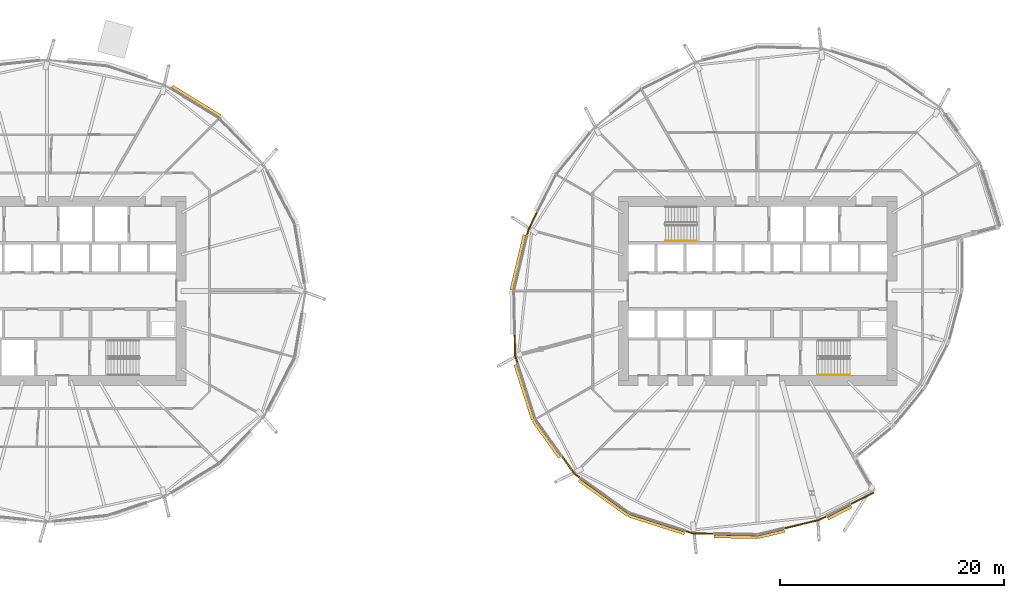
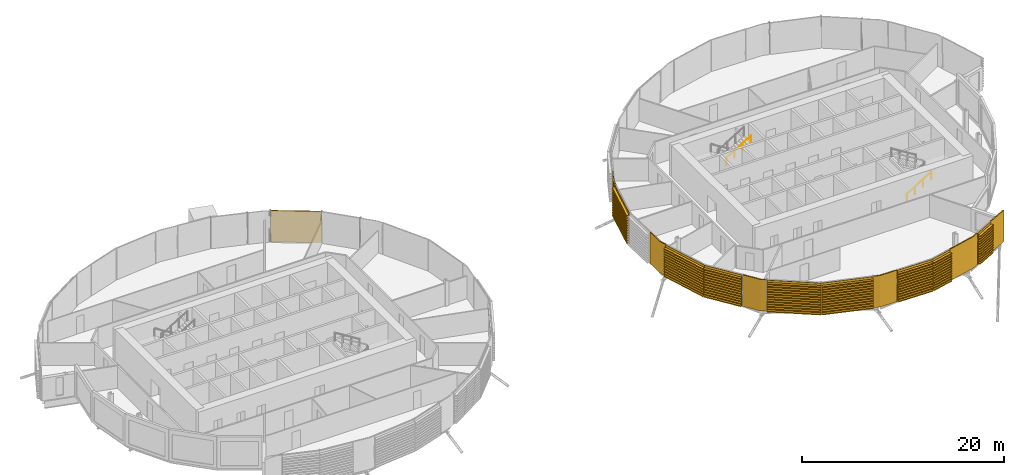
# One storey, part 36 of 38: 15 coverings, 2 railings.
"""IFC4 building model written with IfcOpenShell, lengths in metres."""

from ifc_helpers import new_model, si_unit, direction, frame, origin, origin_2d, place, context, subcontext, project, spatial, polyline, circle, outline, extrude, material, layer, layer_set, material_profile, profile_set, type_object, element, save


model = new_model("IFC4")

# Units and contexts
model_context = context("Model", 3, precision=1e-05, world=origin(), true_north=direction((0.0, 1.0)))
body_context = subcontext(model_context, "Body", "Model", "MODEL_VIEW")
ifc_project = project(units=[si_unit("LENGTHUNIT", "METRE"), si_unit("AREAUNIT", "SQUARE_METRE"), si_unit("VOLUMEUNIT", "CUBIC_METRE"), si_unit("PLANEANGLEUNIT", "RADIAN"), si_unit("MASSUNIT", "GRAM", prefix="KILO")], contexts=[model_context])

# Site, building, storey
site_placement = place(None, origin())
site = spatial("IfcSite", under=ifc_project, at=site_placement, CompositionType="ELEMENT")
building_placement = place(site_placement, origin())
building = spatial("IfcBuilding", under=site, at=building_placement, Name="Rimbun Link Towers", CompositionType="ELEMENT")
storey_placement = place(building_placement, frame((0.0, 0.0, 56.60009765625)))
storey = spatial("IfcBuildingStorey", under=building, at=storey_placement, Name="L13", CompositionType="ELEMENT", Elevation=56.60009765625)

# Coverings
ifc_material_1 = material(Name="Terracotta", Category="masonry")
ifc_layer = layer(ifc_material_1, 0.1201171875)
ifc_layer_set = layer_set([ifc_layer], Name="LINK PIER terracotta cladding 120")
covering_type_1 = type_object("IfcCoveringType", Name="LINK PIER terracotta cladding 120", PredefinedType="CLADDING", material=ifc_layer_set)
covering_1_placement = place(storey_placement, origin())
element("IfcCovering", 1, at=covering_1_placement, inside=storey, type_object=covering_type_1, Name="LINK PIER cladding", PredefinedType="CLADDING", context=body_context, shape_type="SweptSolid", body=[
    extrude(outline(polyline([(11.20751953125, 4.96630859375), (11.328369140625, 5.471923828125), (12.100341796875, 7.009033203125), (11.9931640625, 7.06298828125), (11.21484375, 5.513427734375), (11.0908203125, 4.994140625), (11.20751953125, 4.96630859375)])), origin(), (0.0, 0.0, 1.0), 3.7998046875),
])
covering_2_placement = place(storey_placement, origin())
element("IfcCovering", 2, at=covering_2_placement, inside=storey, type_object=covering_type_1, Name="LINK PIER cladding", PredefinedType="CLADDING", context=body_context, shape_type="SweptSolid", body=[
    extrude(outline(polyline([(10.35986328125, -6.47607421875), (10.1416015625, -5.789794921875), (10.101318359375, -3.870361328125), (9.981201171875, -3.872802734375), (10.02197265625, -5.809814453125), (10.24560546875, -6.512451171875), (10.35986328125, -6.47607421875)])), origin(), (0.0, 0.0, 1.0), 3.7998046875),
])
covering_3_placement = place(storey_placement, origin())
element("IfcCovering", 3, at=covering_3_placement, inside=storey, type_object=covering_type_1, Name="LINK PIER cladding", PredefinedType="CLADDING", context=body_context, shape_type="SweptSolid", body=[
    extrude(outline(polyline([(15.940185546875, -16.675048828125), (15.436279296875, -16.313720703125), (14.317138671875, -14.753662109375), (14.219482421875, -14.82373046875), (15.350341796875, -16.399658203125), (15.8701171875, -16.7724609375), (15.940185546875, -16.675048828125)])), origin(), (0.0, 0.0, 1.0), 3.7998046875),
])
covering_4_placement = place(storey_placement, origin())
element("IfcCovering", 4, at=covering_4_placement, inside=storey, type_object=covering_type_1, Name="LINK PIER cladding", PredefinedType="CLADDING", context=body_context, shape_type="SweptSolid", body=[
    extrude(outline(polyline([(27.82958984375, -21.647705078125), (25.960205078125, -21.6083984375), (25.321533203125, -21.4052734375), (25.28515625, -21.51953125), (25.940185546875, -21.72802734375), (27.8271484375, -21.767578125), (27.82958984375, -21.647705078125)])), origin(), (0.0, 0.0, 1.0), 3.7998046875),
])
covering_5_placement = place(storey_placement, origin())
element("IfcCovering", 5, at=covering_5_placement, inside=storey, type_object=covering_type_1, Name="LINK PIER cladding", PredefinedType="CLADDING", context=body_context, shape_type="SweptSolid", body=[
    extrude(outline(polyline([(42.093505859375, -17.97509765625), (40.046875, -19.0029296875), (40.100830078125, -19.110107421875), (42.147216796875, -18.08251953125), (42.093505859375, -17.97509765625)])), origin(), (0.0, 0.0, 1.0), 3.7998046875),
])
covering_6_placement = place(storey_placement, origin())
element("IfcCovering", 6, at=covering_6_placement, inside=storey, type_object=covering_type_1, Name="LINK PIER cladding", PredefinedType="CLADDING", context=body_context, shape_type="SweptSolid", body=[
    extrude(outline(polyline([(37.865478515625, -20.098388671875), (37.221923828125, -20.421630859375), (34.138916015625, -21.158935546875), (34.166748046875, -21.275634765625), (37.263427734375, -20.53515625), (37.919189453125, -20.205810546875), (37.865478515625, -20.098388671875)])), origin(), (0.0, 0.0, 1.0), 3.7998046875),
])

# Railings
ifc_material_2 = material(Name="Stainless steel grade 316", Category="steel")
railing_type = type_object("IfcRailingType", Name="Stair handrail", PredefinedType="HANDRAIL", material=ifc_material_2)
for number, where, name in (
    (7, (23.5, 4.449951171875, 2.072509765625), "L13 ST3 stair handrail 2"),
    (8, (37.199951171875, -7.5, 0.172607421875), "L13 ST4 stair handrail 1"),
):
    element("IfcRailing", number, at=place(storey_placement, frame(where)), inside=storey, type_object=railing_type, Name=name, PredefinedType="HANDRAIL", context=body_context, shape_type="SweptSolid", body=[
        extrude(circle(Radius=0.02392578125, at=origin_2d()), frame((0.0, 0.0, 0.8759765625), z_axis=(0.851089632645, 0.0, 0.525020415988), x_axis=(0.0, 1.0, 0.0)), (0.0, 0.0, 1.0), 3.2900390625),
        extrude(circle(Radius=0.02099609375, at=origin_2d()), origin(), (0.0, 0.0, 1.0), 0.851806640625),
        extrude(circle(Radius=0.02099609375, at=origin_2d()), frame((0.933349609375, 0.0, 0.57568359375)), (0.0, 0.0, 1.0), 0.851806640625),
        extrude(circle(Radius=0.02099609375, at=origin_2d()), frame((1.86669921875, 0.0, 1.151611328125)), (0.0, 0.0, 1.0), 0.851806640625),
        extrude(circle(Radius=0.02099609375, at=origin_2d()), frame((2.800048828125, 0.0, 1.727294921875)), (0.0, 0.0, 1.0), 0.851806640625),
    ])

# Coverings
ifc_material_3 = material(Name="Terracotta", Category="masonry")
ifc_material_profile = material_profile(ifc_material_3, outline(polyline([(0.123046875, 0.0), (0.1630859375, 0.0), (0.1630859375, 0.10009765625), (0.423095703125, 0.10009765625), (0.423095703125, 0.219970703125), (0.1630859375, 0.219970703125), (0.1630859375, 0.39990234375), (0.423095703125, 0.39990234375), (0.423095703125, 0.52001953125), (0.1630859375, 0.52001953125), (0.1630859375, 0.699951171875), (0.423095703125, 0.699951171875), (0.423095703125, 0.820068359375), (0.1630859375, 0.820068359375), (0.1630859375, 1.0), (0.423095703125, 1.0), (0.423095703125, 1.1201171875), (0.1630859375, 1.1201171875), (0.1630859375, 1.300048828125), (0.423095703125, 1.300048828125), (0.423095703125, 1.419921875), (0.1630859375, 1.419921875), (0.1630859375, 1.60009765625), (0.423095703125, 1.60009765625), (0.423095703125, 1.719970703125), (0.1630859375, 1.719970703125), (0.1630859375, 1.89990234375), (0.423095703125, 1.89990234375), (0.423095703125, 2.02001953125), (0.1630859375, 2.02001953125), (0.1630859375, 2.199951171875), (0.423095703125, 2.199951171875), (0.423095703125, 2.320068359375), (0.1630859375, 2.320068359375), (0.1630859375, 2.5), (0.423095703125, 2.5), (0.423095703125, 2.6201171875), (0.1630859375, 2.6201171875), (0.1630859375, 2.800048828125), (0.423095703125, 2.800048828125), (0.423095703125, 2.919921875), (0.1630859375, 2.919921875), (0.1630859375, 3.10009765625), (0.423095703125, 3.10009765625), (0.423095703125, 3.219970703125), (0.1630859375, 3.219970703125), (0.1630859375, 3.39990234375), (0.423095703125, 3.39990234375), (0.423095703125, 3.52001953125), (0.1630859375, 3.52001953125), (0.1630859375, 3.800048828125), (0.123046875, 3.800048828125), (0.123046875, 0.0)])), Name="BAGUETTE 120X300")
ifc_profile_set = profile_set([ifc_material_profile], Name="Terracotta")
covering_type_2 = type_object("IfcCoveringType", Name="TERRACOTTA BAGUETTE 120X300 H3800", PredefinedType="CLADDING", material=ifc_profile_set)
for number, where, z_axis, x_axis, name in (
    (9, (-20.710205078125, 18.021728515625, 0.0), (0.85215993797, -0.523281415798, 0.0), (0.523281415798, 0.85215993797, 0.0), "TERRACOTTA BAGUETTE"),
    (10, (10.019775390625, 0.0, 0.0), (0.232587059033, 0.972575580595, 0.0), (-0.972575580595, 0.232587059033, 0.0), "TERRACOTTA BAGUETTE"),
):
    element("IfcCovering", number, at=place(storey_placement, frame(where, z_axis=z_axis, x_axis=x_axis)), inside=storey, type_object=covering_type_2, Name=name, PredefinedType="CLADDING", context=body_context, shape_type="SweptSolid", body=[
        extrude(outline(polyline([(0.123046875, 0.0), (0.1630859375, 0.0), (0.1630859375, 0.10009765625), (0.423095703125, 0.10009765625), (0.423095703125, 0.219970703125), (0.1630859375, 0.219970703125), (0.1630859375, 0.39990234375), (0.423095703125, 0.39990234375), (0.423095703125, 0.52001953125), (0.1630859375, 0.52001953125), (0.1630859375, 0.699951171875), (0.423095703125, 0.699951171875), (0.423095703125, 0.820068359375), (0.1630859375, 0.820068359375), (0.1630859375, 1.0), (0.423095703125, 1.0), (0.423095703125, 1.1201171875), (0.1630859375, 1.1201171875), (0.1630859375, 1.300048828125), (0.423095703125, 1.300048828125), (0.423095703125, 1.419921875), (0.1630859375, 1.419921875), (0.1630859375, 1.60009765625), (0.423095703125, 1.60009765625), (0.423095703125, 1.719970703125), (0.1630859375, 1.719970703125), (0.1630859375, 1.89990234375), (0.423095703125, 1.89990234375), (0.423095703125, 2.02001953125), (0.1630859375, 2.02001953125), (0.1630859375, 2.199951171875), (0.423095703125, 2.199951171875), (0.423095703125, 2.320068359375), (0.1630859375, 2.320068359375), (0.1630859375, 2.5), (0.423095703125, 2.5), (0.423095703125, 2.6201171875), (0.1630859375, 2.6201171875), (0.1630859375, 2.800048828125), (0.423095703125, 2.800048828125), (0.423095703125, 2.919921875), (0.1630859375, 2.919921875), (0.1630859375, 3.10009765625), (0.423095703125, 3.10009765625), (0.423095703125, 3.219970703125), (0.1630859375, 3.219970703125), (0.1630859375, 3.39990234375), (0.423095703125, 3.39990234375), (0.423095703125, 3.52001953125), (0.1630859375, 3.52001953125), (0.1630859375, 3.800048828125), (0.123046875, 3.800048828125), (0.123046875, 0.0)])), origin(), (0.0, 0.0, 1.0), 5.076171875),
    ])
covering_7_placement = place(storey_placement, frame((11.93798828125, -11.4384765625, 0.0), z_axis=(-0.303069353563, 0.952968502591, 0.0), x_axis=(-0.952968502591, -0.303069353563, 0.0)))
element("IfcCovering", 11, at=covering_7_placement, inside=storey, type_object=covering_type_2, Name="TERRACOTTA BAGUETTE", PredefinedType="CLADDING", context=body_context, shape_type="SweptSolid", body=[
    extrude(outline(polyline([(0.123046875, 0.0), (0.1630859375, 0.0), (0.1630859375, 0.10009765625), (0.423095703125, 0.10009765625), (0.423095703125, 0.219970703125), (0.1630859375, 0.219970703125), (0.1630859375, 0.39990234375), (0.423095703125, 0.39990234375), (0.423095703125, 0.52001953125), (0.1630859375, 0.52001953125), (0.1630859375, 0.699951171875), (0.423095703125, 0.699951171875), (0.423095703125, 0.820068359375), (0.1630859375, 0.820068359375), (0.1630859375, 1.0), (0.423095703125, 1.0), (0.423095703125, 1.1201171875), (0.1630859375, 1.1201171875), (0.1630859375, 1.300048828125), (0.423095703125, 1.300048828125), (0.423095703125, 1.419921875), (0.1630859375, 1.419921875), (0.1630859375, 1.60009765625), (0.423095703125, 1.60009765625), (0.423095703125, 1.719970703125), (0.1630859375, 1.719970703125), (0.1630859375, 1.89990234375), (0.423095703125, 1.89990234375), (0.423095703125, 2.02001953125), (0.1630859375, 2.02001953125), (0.1630859375, 2.199951171875), (0.423095703125, 2.199951171875), (0.423095703125, 2.320068359375), (0.1630859375, 2.320068359375), (0.1630859375, 2.5), (0.423095703125, 2.5), (0.423095703125, 2.6201171875), (0.1630859375, 2.6201171875), (0.1630859375, 2.800048828125), (0.423095703125, 2.800048828125), (0.423095703125, 2.919921875), (0.1630859375, 2.919921875), (0.1630859375, 3.10009765625), (0.423095703125, 3.10009765625), (0.423095703125, 3.219970703125), (0.1630859375, 3.219970703125), (0.1630859375, 3.39990234375), (0.423095703125, 3.39990234375), (0.423095703125, 3.52001953125), (0.1630859375, 3.52001953125), (0.1630859375, 3.800048828125), (0.123046875, 3.800048828125), (0.123046875, 0.0)])), origin(), (0.0, 0.0, 1.0), 5.17724609375),
])
covering_8_placement = place(storey_placement, frame((14.299560546875, -14.729248046875, 0.0), z_axis=(-0.583038497877, 0.812444527333, 0.0), x_axis=(-0.812444527333, -0.583038497877, 0.0)))
element("IfcCovering", 12, at=covering_8_placement, inside=storey, type_object=covering_type_2, Name="TERRACOTTA BAGUETTE", PredefinedType="CLADDING", context=body_context, shape_type="SweptSolid", body=[
    extrude(outline(polyline([(0.123046875, 0.0), (0.1630859375, 0.0), (0.1630859375, 0.10009765625), (0.423095703125, 0.10009765625), (0.423095703125, 0.219970703125), (0.1630859375, 0.219970703125), (0.1630859375, 0.39990234375), (0.423095703125, 0.39990234375), (0.423095703125, 0.52001953125), (0.1630859375, 0.52001953125), (0.1630859375, 0.699951171875), (0.423095703125, 0.699951171875), (0.423095703125, 0.820068359375), (0.1630859375, 0.820068359375), (0.1630859375, 1.0), (0.423095703125, 1.0), (0.423095703125, 1.1201171875), (0.1630859375, 1.1201171875), (0.1630859375, 1.300048828125), (0.423095703125, 1.300048828125), (0.423095703125, 1.419921875), (0.1630859375, 1.419921875), (0.1630859375, 1.60009765625), (0.423095703125, 1.60009765625), (0.423095703125, 1.719970703125), (0.1630859375, 1.719970703125), (0.1630859375, 1.89990234375), (0.423095703125, 1.89990234375), (0.423095703125, 2.02001953125), (0.1630859375, 2.02001953125), (0.1630859375, 2.199951171875), (0.423095703125, 2.199951171875), (0.423095703125, 2.320068359375), (0.1630859375, 2.320068359375), (0.1630859375, 2.5), (0.423095703125, 2.5), (0.423095703125, 2.6201171875), (0.1630859375, 2.6201171875), (0.1630859375, 2.800048828125), (0.423095703125, 2.800048828125), (0.423095703125, 2.919921875), (0.1630859375, 2.919921875), (0.1630859375, 3.10009765625), (0.423095703125, 3.10009765625), (0.423095703125, 3.219970703125), (0.1630859375, 3.219970703125), (0.1630859375, 3.39990234375), (0.423095703125, 3.39990234375), (0.423095703125, 3.52001953125), (0.1630859375, 3.52001953125), (0.1630859375, 3.800048828125), (0.123046875, 3.800048828125), (0.123046875, 0.0)])), origin(), (0.0, 0.0, 1.0), 4.050537109375),
])
covering_9_placement = place(storey_placement, frame((20.3115234375, -19.81201171875, 0.0), z_axis=(-0.812455081964, 0.583023790073, 0.0), x_axis=(-0.583023790073, -0.812455081964, 0.0)))
element("IfcCovering", 13, at=covering_9_placement, inside=storey, type_object=covering_type_2, Name="TERRACOTTA BAGUETTE", PredefinedType="CLADDING", context=body_context, shape_type="SweptSolid", body=[
    extrude(outline(polyline([(0.123046875, 0.0), (0.1630859375, 0.0), (0.1630859375, 0.10009765625), (0.423095703125, 0.10009765625), (0.423095703125, 0.219970703125), (0.1630859375, 0.219970703125), (0.1630859375, 0.39990234375), (0.423095703125, 0.39990234375), (0.423095703125, 0.52001953125), (0.1630859375, 0.52001953125), (0.1630859375, 0.699951171875), (0.423095703125, 0.699951171875), (0.423095703125, 0.820068359375), (0.1630859375, 0.820068359375), (0.1630859375, 1.0), (0.423095703125, 1.0), (0.423095703125, 1.1201171875), (0.1630859375, 1.1201171875), (0.1630859375, 1.300048828125), (0.423095703125, 1.300048828125), (0.423095703125, 1.419921875), (0.1630859375, 1.419921875), (0.1630859375, 1.60009765625), (0.423095703125, 1.60009765625), (0.423095703125, 1.719970703125), (0.1630859375, 1.719970703125), (0.1630859375, 1.89990234375), (0.423095703125, 1.89990234375), (0.423095703125, 2.02001953125), (0.1630859375, 2.02001953125), (0.1630859375, 2.199951171875), (0.423095703125, 2.199951171875), (0.423095703125, 2.320068359375), (0.1630859375, 2.320068359375), (0.1630859375, 2.5), (0.423095703125, 2.5), (0.423095703125, 2.6201171875), (0.1630859375, 2.6201171875), (0.1630859375, 2.800048828125), (0.423095703125, 2.800048828125), (0.423095703125, 2.919921875), (0.1630859375, 2.919921875), (0.1630859375, 3.10009765625), (0.423095703125, 3.10009765625), (0.423095703125, 3.219970703125), (0.1630859375, 3.219970703125), (0.1630859375, 3.39990234375), (0.423095703125, 3.39990234375), (0.423095703125, 3.52001953125), (0.1630859375, 3.52001953125), (0.1630859375, 3.800048828125), (0.123046875, 3.800048828125), (0.123046875, 0.0)])), origin(), (0.0, 0.0, 1.0), 5.350341796875),
])
covering_10_placement = place(storey_placement, frame((25.29296875, -21.396240234375, 0.0), z_axis=(-0.952968707508, 0.303068709225, 0.0), x_axis=(-0.303068709225, -0.952968707508, 0.0)))
element("IfcCovering", 14, at=covering_10_placement, inside=storey, type_object=covering_type_2, Name="TERRACOTTA BAGUETTE", PredefinedType="CLADDING", context=body_context, shape_type="SweptSolid", body=[
    extrude(outline(polyline([(0.123046875, 0.0), (0.1630859375, 0.0), (0.1630859375, 0.10009765625), (0.423095703125, 0.10009765625), (0.423095703125, 0.219970703125), (0.1630859375, 0.219970703125), (0.1630859375, 0.39990234375), (0.423095703125, 0.39990234375), (0.423095703125, 0.52001953125), (0.1630859375, 0.52001953125), (0.1630859375, 0.699951171875), (0.423095703125, 0.699951171875), (0.423095703125, 0.820068359375), (0.1630859375, 0.820068359375), (0.1630859375, 1.0), (0.423095703125, 1.0), (0.423095703125, 1.1201171875), (0.1630859375, 1.1201171875), (0.1630859375, 1.300048828125), (0.423095703125, 1.300048828125), (0.423095703125, 1.419921875), (0.1630859375, 1.419921875), (0.1630859375, 1.60009765625), (0.423095703125, 1.60009765625), (0.423095703125, 1.719970703125), (0.1630859375, 1.719970703125), (0.1630859375, 1.89990234375), (0.423095703125, 1.89990234375), (0.423095703125, 2.02001953125), (0.1630859375, 2.02001953125), (0.1630859375, 2.199951171875), (0.423095703125, 2.199951171875), (0.423095703125, 2.320068359375), (0.1630859375, 2.320068359375), (0.1630859375, 2.5), (0.423095703125, 2.5), (0.423095703125, 2.6201171875), (0.1630859375, 2.6201171875), (0.1630859375, 2.800048828125), (0.423095703125, 2.800048828125), (0.423095703125, 2.919921875), (0.1630859375, 2.919921875), (0.1630859375, 3.10009765625), (0.423095703125, 3.10009765625), (0.423095703125, 3.219970703125), (0.1630859375, 3.219970703125), (0.1630859375, 3.39990234375), (0.423095703125, 3.39990234375), (0.423095703125, 3.52001953125), (0.1630859375, 3.52001953125), (0.1630859375, 3.800048828125), (0.123046875, 3.800048828125), (0.123046875, 0.0)])), origin(), (0.0, 0.0, 1.0), 5.227294921875),
])
covering_11_placement = place(storey_placement, frame((31.75, -21.730224609375, 0.0), z_axis=(-0.999779091943, 0.021018261425, 0.0), x_axis=(-0.021018261425, -0.999779091943, 0.0)))
element("IfcCovering", 15, at=covering_11_placement, inside=storey, type_object=covering_type_2, Name="TERRACOTTA BAGUETTE", PredefinedType="CLADDING", context=body_context, shape_type="SweptSolid", body=[
    extrude(outline(polyline([(0.123046875, 0.0), (0.1630859375, 0.0), (0.1630859375, 0.10009765625), (0.423095703125, 0.10009765625), (0.423095703125, 0.219970703125), (0.1630859375, 0.219970703125), (0.1630859375, 0.39990234375), (0.423095703125, 0.39990234375), (0.423095703125, 0.52001953125), (0.1630859375, 0.52001953125), (0.1630859375, 0.699951171875), (0.423095703125, 0.699951171875), (0.423095703125, 0.820068359375), (0.1630859375, 0.820068359375), (0.1630859375, 1.0), (0.423095703125, 1.0), (0.423095703125, 1.1201171875), (0.1630859375, 1.1201171875), (0.1630859375, 1.300048828125), (0.423095703125, 1.300048828125), (0.423095703125, 1.419921875), (0.1630859375, 1.419921875), (0.1630859375, 1.60009765625), (0.423095703125, 1.60009765625), (0.423095703125, 1.719970703125), (0.1630859375, 1.719970703125), (0.1630859375, 1.89990234375), (0.423095703125, 1.89990234375), (0.423095703125, 2.02001953125), (0.1630859375, 2.02001953125), (0.1630859375, 2.199951171875), (0.423095703125, 2.199951171875), (0.423095703125, 2.320068359375), (0.1630859375, 2.320068359375), (0.1630859375, 2.5), (0.423095703125, 2.5), (0.423095703125, 2.6201171875), (0.1630859375, 2.6201171875), (0.1630859375, 2.800048828125), (0.423095703125, 2.800048828125), (0.423095703125, 2.919921875), (0.1630859375, 2.919921875), (0.1630859375, 3.10009765625), (0.423095703125, 3.10009765625), (0.423095703125, 3.219970703125), (0.1630859375, 3.219970703125), (0.1630859375, 3.39990234375), (0.423095703125, 3.39990234375), (0.423095703125, 3.52001953125), (0.1630859375, 3.52001953125), (0.1630859375, 3.800048828125), (0.123046875, 3.800048828125), (0.123046875, 0.0)])), origin(), (0.0, 0.0, 1.0), 3.891357421875),
])
covering_12_placement = place(storey_placement, frame((34.10986328125, -21.166015625, 0.0), z_axis=(-0.972588786306, -0.232531831694, 0.0), x_axis=(0.232531831694, -0.972588786306, 0.0)))
element("IfcCovering", 16, at=covering_12_placement, inside=storey, type_object=covering_type_2, Name="TERRACOTTA BAGUETTE", PredefinedType="CLADDING", context=body_context, shape_type="SweptSolid", body=[
    extrude(outline(polyline([(0.123046875, 0.0), (0.1630859375, 0.0), (0.1630859375, 0.10009765625), (0.423095703125, 0.10009765625), (0.423095703125, 0.219970703125), (0.1630859375, 0.219970703125), (0.1630859375, 0.39990234375), (0.423095703125, 0.39990234375), (0.423095703125, 0.52001953125), (0.1630859375, 0.52001953125), (0.1630859375, 0.699951171875), (0.423095703125, 0.699951171875), (0.423095703125, 0.820068359375), (0.1630859375, 0.820068359375), (0.1630859375, 1.0), (0.423095703125, 1.0), (0.423095703125, 1.1201171875), (0.1630859375, 1.1201171875), (0.1630859375, 1.300048828125), (0.423095703125, 1.300048828125), (0.423095703125, 1.419921875), (0.1630859375, 1.419921875), (0.1630859375, 1.60009765625), (0.423095703125, 1.60009765625), (0.423095703125, 1.719970703125), (0.1630859375, 1.719970703125), (0.1630859375, 1.89990234375), (0.423095703125, 1.89990234375), (0.423095703125, 2.02001953125), (0.1630859375, 2.02001953125), (0.1630859375, 2.199951171875), (0.423095703125, 2.199951171875), (0.423095703125, 2.320068359375), (0.1630859375, 2.320068359375), (0.1630859375, 2.5), (0.423095703125, 2.5), (0.423095703125, 2.6201171875), (0.1630859375, 2.6201171875), (0.1630859375, 2.800048828125), (0.423095703125, 2.800048828125), (0.423095703125, 2.919921875), (0.1630859375, 2.919921875), (0.1630859375, 3.10009765625), (0.423095703125, 3.10009765625), (0.423095703125, 3.219970703125), (0.1630859375, 3.219970703125), (0.1630859375, 3.39990234375), (0.423095703125, 3.39990234375), (0.423095703125, 3.52001953125), (0.1630859375, 3.52001953125), (0.1630859375, 3.800048828125), (0.123046875, 3.800048828125), (0.123046875, 0.0)])), origin(), (0.0, 0.0, 1.0), 2.42626953125),
])
covering_13_placement = place(storey_placement, frame((40.020263671875, -19.016357421875, 0.0), z_axis=(-0.893646609528, -0.448771364147, 0.0), x_axis=(0.448771364147, -0.893646609528, 0.0)))
element("IfcCovering", 17, at=covering_13_placement, inside=storey, type_object=covering_type_2, Name="TERRACOTTA BAGUETTE", PredefinedType="CLADDING", context=body_context, shape_type="SweptSolid", body=[
    extrude(outline(polyline([(0.123046875, 0.0), (0.1630859375, 0.0), (0.1630859375, 0.10009765625), (0.423095703125, 0.10009765625), (0.423095703125, 0.219970703125), (0.1630859375, 0.219970703125), (0.1630859375, 0.39990234375), (0.423095703125, 0.39990234375), (0.423095703125, 0.52001953125), (0.1630859375, 0.52001953125), (0.1630859375, 0.699951171875), (0.423095703125, 0.699951171875), (0.423095703125, 0.820068359375), (0.1630859375, 0.820068359375), (0.1630859375, 1.0), (0.423095703125, 1.0), (0.423095703125, 1.1201171875), (0.1630859375, 1.1201171875), (0.1630859375, 1.300048828125), (0.423095703125, 1.300048828125), (0.423095703125, 1.419921875), (0.1630859375, 1.419921875), (0.1630859375, 1.60009765625), (0.423095703125, 1.60009765625), (0.423095703125, 1.719970703125), (0.1630859375, 1.719970703125), (0.1630859375, 1.89990234375), (0.423095703125, 1.89990234375), (0.423095703125, 2.02001953125), (0.1630859375, 2.02001953125), (0.1630859375, 2.199951171875), (0.423095703125, 2.199951171875), (0.423095703125, 2.320068359375), (0.1630859375, 2.320068359375), (0.1630859375, 2.5), (0.423095703125, 2.5), (0.423095703125, 2.6201171875), (0.1630859375, 2.6201171875), (0.1630859375, 2.800048828125), (0.423095703125, 2.800048828125), (0.423095703125, 2.919921875), (0.1630859375, 2.919921875), (0.1630859375, 3.10009765625), (0.423095703125, 3.10009765625), (0.423095703125, 3.219970703125), (0.1630859375, 3.219970703125), (0.1630859375, 3.39990234375), (0.423095703125, 3.39990234375), (0.423095703125, 3.52001953125), (0.1630859375, 3.52001953125), (0.1630859375, 3.800048828125), (0.123046875, 3.800048828125), (0.123046875, 0.0)])), origin(), (0.0, 0.0, 1.0), 2.381103515625),
])

save(model, "model.ifc")
